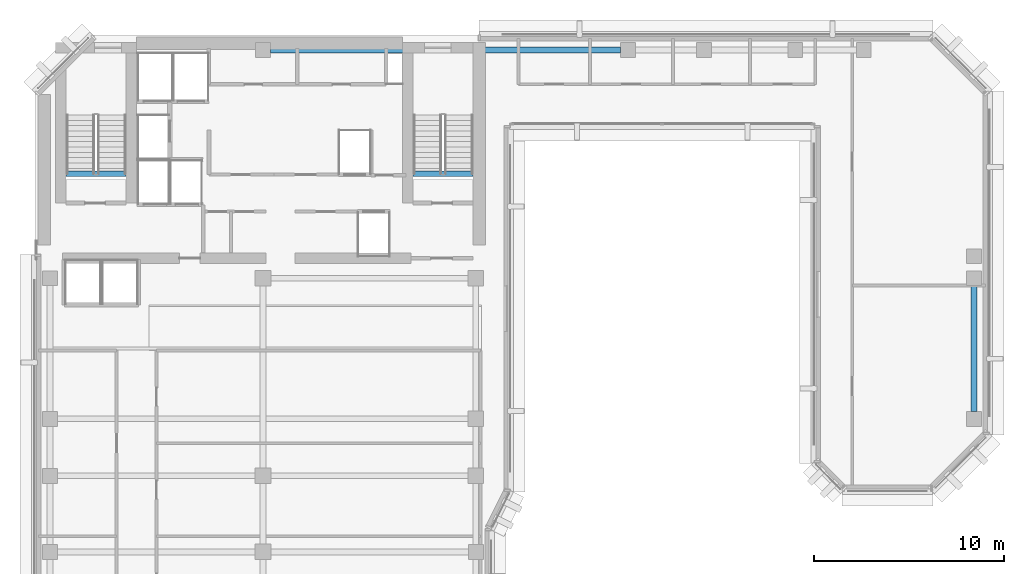
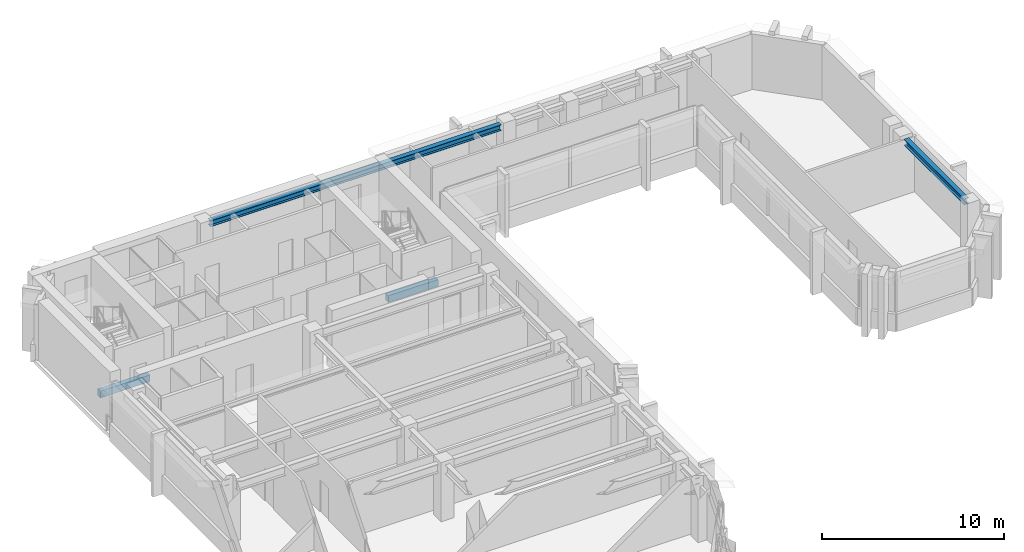
# One storey, part 3 of 11: 4 beams.
"""IFC4 building model written with IfcOpenShell, lengths in metres."""

from ifc_helpers import new_model, si_unit, direction, frame, origin, origin_2d, place, context, subcontext, project, spatial, rectangle, i_section, extrude, material, material_profile, profile_set, type_object, element, save


model = new_model("IFC4")

# Units and contexts
model_context = context("Model", 3, precision=1e-05, world=origin(), true_north=direction((0.0, 1.0)))
body_context = subcontext(model_context, "Body", "Model", "MODEL_VIEW")
ifc_project = project(units=[si_unit("LENGTHUNIT", "METRE"), si_unit("AREAUNIT", "SQUARE_METRE"), si_unit("VOLUMEUNIT", "CUBIC_METRE"), si_unit("PLANEANGLEUNIT", "RADIAN"), si_unit("MASSUNIT", "GRAM", prefix="KILO")], contexts=[model_context])

# Site, building, storey
site_placement = place(None, origin())
site = spatial("IfcSite", under=ifc_project, at=site_placement, CompositionType="ELEMENT")
building_placement = place(site_placement, origin())
building = spatial("IfcBuilding", under=site, at=building_placement, Name="Kefirva Bronze Tower", CompositionType="ELEMENT")
storey_placement = place(building_placement, frame((0.0, 0.0, 231.659912109375)))
storey = spatial("IfcBuildingStorey", under=building, at=storey_placement, Name="L56", CompositionType="ELEMENT", Elevation=231.659912109375)

# Beams
ifc_material_1 = material(Name="Concrete C50/60", Category="concrete")
ifc_material_profile_1 = material_profile(ifc_material_1, rectangle(XDim=0.300048828125, YDim=0.449951171875, at=origin_2d()), Name="RC 300x450")
ifc_profile_set_1 = profile_set([ifc_material_profile_1], Name="Concrete C50/60")
beam_type_1 = type_object("IfcBeamType", Name="RC Stair Trimmer Beam 300x450", PredefinedType="BEAM", material=ifc_profile_set_1)
beam_1_placement = place(storey_placement, frame((1.64501953125, 38.699951171875, -0.224853515625), z_axis=(1.0, 0.0, 0.0), x_axis=(0.0, 1.0, 0.0)))
element("IfcBeam", 1, at=beam_1_placement, inside=storey, type_object=beam_type_1, Name="L56 Stair 1 Landing Trimmer Beam", PredefinedType="BEAM", context=body_context, shape_type="SweptSolid", body=[
    extrude(rectangle(XDim=0.300048828125, YDim=0.449951171875, at=origin_2d()), origin(), (0.0, 0.0, 1.0), 3.14990234375),
])
beam_2_placement = place(storey_placement, frame((19.89501953125, 38.699951171875, -0.224853515625), z_axis=(1.0, 0.0, 0.0), x_axis=(0.0, 1.0, 0.0)))
element("IfcBeam", 2, at=beam_2_placement, inside=storey, type_object=beam_type_1, Name="L56 Stair 2 Landing Trimmer Beam", PredefinedType="BEAM", context=body_context, shape_type="SweptSolid", body=[
    extrude(rectangle(XDim=0.300048828125, YDim=0.449951171875, at=origin_2d()), origin(), (0.0, 0.0, 1.0), 3.159912109375),
])
ifc_material_2 = material(Name="Steel S355", Category="steel")
ifc_material_profile_2 = material_profile(ifc_material_2, i_section(OverallWidth=0.300048828125, OverallDepth=0.39990234375, WebThickness=0.013427734375, FlangeThickness=0.02392578125, at=origin_2d()), Name="HEB 400")
ifc_profile_set_2 = profile_set([ifc_material_profile_2], Name="Steel S355")
beam_type_2 = type_object("IfcBeamType", Name="Steel Spandrel HEB 400 Ext", PredefinedType="SPANDREL", material=ifc_profile_set_2)
beam_3_placement = place(storey_placement, frame((12.389892578125, 45.199951171875, 3.510009765625), z_axis=(1.0, 0.0, 0.0), x_axis=(0.0, 1.0, 0.0)))
element("IfcBeam", 3, at=beam_3_placement, inside=storey, type_object=beam_type_2, Name="L56 BM-L56-EW-12-452", PredefinedType="SPANDREL", context=body_context, shape_type="SweptSolid", body=[
    extrude(i_section(OverallWidth=0.300048828125, OverallDepth=0.39990234375, WebThickness=0.013427734375, FlangeThickness=0.02392578125, at=origin_2d()), origin(), (0.0, 0.0, 1.0), 18.420166015625),
])
beam_4_placement = place(storey_placement, frame((49.39990234375, 26.18994140625, 3.510009765625), z_axis=(0.0, 1.0, 0.0), x_axis=(-1.0, 0.0, 0.0)))
element("IfcBeam", 4, at=beam_4_placement, inside=storey, type_object=beam_type_2, Name="L56 BM-L56-NS-494-25", PredefinedType="SPANDREL", context=body_context, shape_type="SweptSolid", body=[
    extrude(i_section(OverallWidth=0.300048828125, OverallDepth=0.39990234375, WebThickness=0.013427734375, FlangeThickness=0.02392578125, at=origin_2d()), origin(), (0.0, 0.0, 1.0), 6.6201171875),
])

save(model, "model.ifc")
